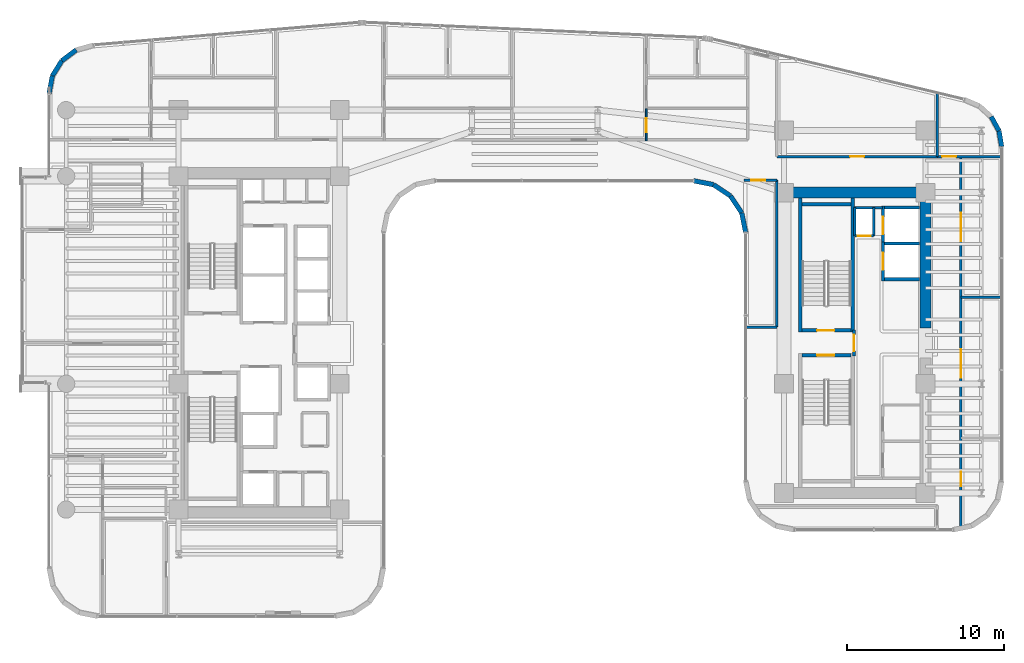
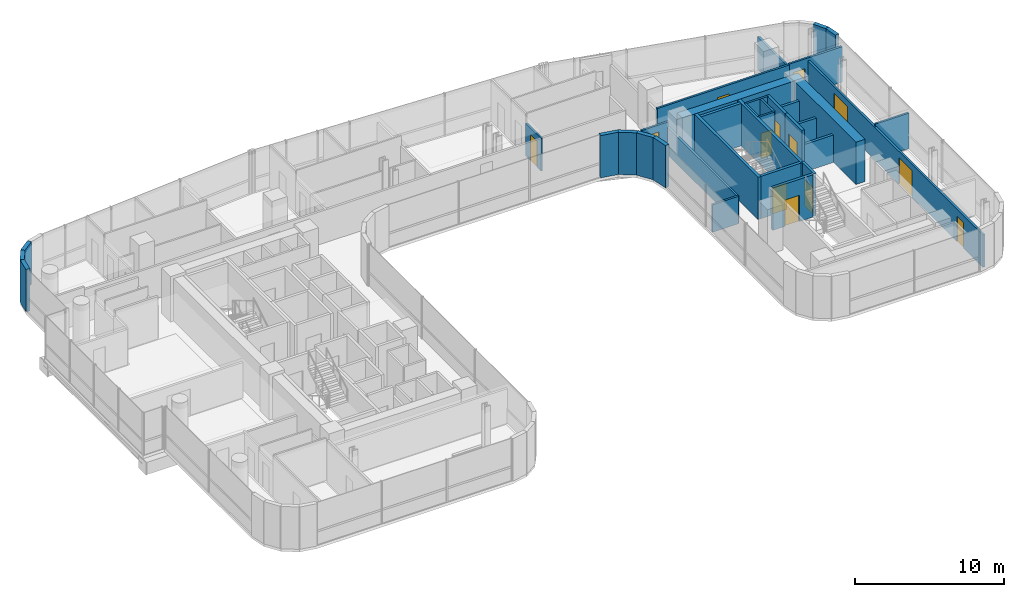
# One storey, part 29 of 36: 35 walls, 13 doors, 13 openings.
"""IFC4 building model written with IfcOpenShell, lengths in metres."""

from ifc_helpers import new_model, si_unit, direction, frame, frame_2d, origin, place, context, subcontext, project, spatial, rectangle, extrude, material, layer, layer_set, type_object, element, fill, save


model = new_model("IFC4")

# Units and contexts
model_context = context("Model", 3, precision=1e-05, world=origin(), true_north=direction((0.0, 1.0)))
body_context = subcontext(model_context, "Body", "Model", "MODEL_VIEW")
ifc_project = project(units=[si_unit("LENGTHUNIT", "METRE"), si_unit("AREAUNIT", "SQUARE_METRE"), si_unit("VOLUMEUNIT", "CUBIC_METRE"), si_unit("PLANEANGLEUNIT", "RADIAN"), si_unit("MASSUNIT", "GRAM", prefix="KILO")], contexts=[model_context])

# Site, building, storey
site_placement = place(None, origin())
site = spatial("IfcSite", under=ifc_project, at=site_placement, CompositionType="ELEMENT")
building_placement = place(site_placement, origin())
building = spatial("IfcBuilding", under=site, at=building_placement, Name="Valdorenza Pilgrim Sanctuary Tower", CompositionType="ELEMENT")
storey_placement = place(building_placement, frame((0.0, 0.0, 109.39990234375)))
storey = spatial("IfcBuildingStorey", under=building, at=storey_placement, Name="L27", CompositionType="ELEMENT", Elevation=109.39990234375)

# Wall, opening, door
ifc_material_1 = material(Name="Acoustic twin-stud gypsum partition", Category="gypsum")
ifc_layer_1 = layer(ifc_material_1, 0.159912109375, Name="Acoustic twin-stud gypsum partition")
ifc_layer_set_1 = layer_set([ifc_layer_1], Name="Acoustic twin-stud gypsum partition")
wall_type_1 = type_object("IfcWallType", Name="WAL-COR-160", PredefinedType="PARTITIONING", material=ifc_layer_set_1)
wall_1_placement = place(storey_placement, frame((20.35009765625, 6.800048828125, 0.0), z_axis=(0.0, 0.0, 1.0), x_axis=(1.0, 0.0, 0.0)))
wall_1 = element("IfcWall", 1, at=wall_1_placement, inside=storey, type_object=wall_type_1, Name="L27 Core B Riser South Wall", PredefinedType="PARTITIONING", context=body_context, shape_type="SweptSolid", body=[
    extrude(rectangle(XDim=1.199951171875, YDim=0.159912109375, at=frame_2d((0.60009765625, 0.0))), origin(), (0.0, 0.0, 1.0), 3.460205078125),
])
opening_1_placement = place(wall_1_placement, frame((0.175048828125, 0.0, 0.0)))
opening_1 = element("IfcOpeningElement", 2, at=opening_1_placement, cuts=wall_1, Name="Opening DR-RS1", PredefinedType="OPENING", context=body_context, shape_type="SweptSolid", body=[
    extrude(rectangle(XDim=0.85009765625, YDim=2.050048828125, at=frame_2d((0.425048828125, 1.02490234375))), frame((0.0, 0.0947265625, 0.0), z_axis=(0.0, -1.0, 0.0), x_axis=(1.0, 0.0, 0.0)), (0.0, 0.0, 1.0), 0.189697265625),
])
ifc_material_2 = material(Name="Painted galvanized steel", Category="steel")
door_type_1 = type_object("IfcDoorType", Name="DR-RSR-850", OperationType="NOTDEFINED", PredefinedType="DOOR", material=ifc_material_2)
door_1_placement = place(opening_1_placement, origin())
door_1 = element("IfcDoor", 3, at=door_1_placement, inside=storey, type_object=door_type_1, Name="L27 Core B Electrical Riser Door", OperationType="SINGLE_SWING_LEFT", OverallHeight=2.050048828125, OverallWidth=0.85009765625, PredefinedType="DOOR", context=body_context, shape_type="SweptSolid", body=[
    extrude(rectangle(XDim=0.85009765625, YDim=2.050048828125, at=frame_2d((0.425048828125, 1.02490234375))), frame((0.0, 0.02490234375, 0.0), z_axis=(0.0, -1.0, 0.0), x_axis=(1.0, 0.0, 0.0)), (0.0, 0.0, 1.0), 0.050048828125),
])
fill(opening_1, door_1)

# Walls
for number, where, z_axis, x_axis, name in (
    (4, (21.550048828125, 6.800048828125, 0.0), (0.0, 0.0, 1.0), (0.0, 1.0, 0.0), "L27 Core B Riser East Wall"),
    (5, (20.35009765625, 6.800048828125, 0.0), (0.0, 0.0, 1.0), (0.0, 1.0, 0.0), "L27 Core B Riser West Wall"),
):
    element("IfcWall", number, at=place(storey_placement, frame(where, z_axis=z_axis, x_axis=x_axis)), inside=storey, type_object=wall_type_1, Name=name, PredefinedType="PARTITIONING", context=body_context, shape_type="SweptSolid", body=[
        extrude(rectangle(XDim=1.800048828125, YDim=0.159912109375, at=frame_2d((0.89990234375, 0.0))), origin(), (0.0, 0.0, 1.0), 3.460205078125),
    ])
wall_2_placement = place(storey_placement, frame((20.300048828125, 8.60009765625, 0.0), z_axis=(0.0, 0.0, 1.0), x_axis=(1.0, 0.0, 0.0)))
element("IfcWall", 6, at=wall_2_placement, inside=storey, type_object=wall_type_1, Name="L27 Core B Lift Hall North End Wall", PredefinedType="PARTITIONING", context=body_context, shape_type="SweptSolid", body=[
    extrude(rectangle(XDim=1.820068359375, YDim=0.159912109375, at=frame_2d((0.91015625, 0.0))), origin(), (0.0, 0.0, 1.0), 3.460205078125),
])

# Wall, opening, door
wall_3_placement = place(storey_placement, frame((15.39990234375, 11.85009765625, 0.0), z_axis=(0.0, 0.0, 1.0), x_axis=(1.0, 0.0, 0.0)))
wall_3 = element("IfcWall", 7, at=wall_3_placement, inside=storey, type_object=wall_type_1, Name="L27 Wing B North Corridor Wall", PredefinedType="PARTITIONING", context=body_context, shape_type="SweptSolid", body=[
    extrude(rectangle(XDim=10.2001953125, YDim=0.159912109375, at=frame_2d((5.10009765625, 0.0))), origin(), (0.0, 0.0, 1.0), 2.833984375),
])
opening_2_placement = place(wall_3_placement, frame((4.64990234375, 0.0, 0.0)))
opening_2 = element("IfcOpeningElement", 8, at=opening_2_placement, cuts=wall_3, Name="Opening DR-RM1", PredefinedType="OPENING", context=body_context, shape_type="SweptSolid", body=[
    extrude(rectangle(XDim=0.89990234375, YDim=2.10009765625, at=frame_2d((0.449951171875, 1.050048828125))), frame((0.0, 0.0947265625, 0.0), z_axis=(0.0, -1.0, 0.0), x_axis=(1.0, 0.0, 0.0)), (0.0, 0.0, 1.0), 0.189697265625),
])
ifc_material_3 = material(Name="Solid-core European oak timber", Category="wood")
door_type_2 = type_object("IfcDoorType", Name="DR-ROOM-900", OperationType="NOTDEFINED", PredefinedType="DOOR", material=ifc_material_3)
door_2_placement = place(opening_2_placement, origin())
door_2 = element("IfcDoor", 9, at=door_2_placement, inside=storey, type_object=door_type_2, Name="L27 Curator Research Office L27-BN1 Door", OperationType="SINGLE_SWING_RIGHT", OverallHeight=2.10009765625, OverallWidth=0.89990234375, PredefinedType="DOOR", context=body_context, shape_type="SweptSolid", body=[
    extrude(rectangle(XDim=0.89990234375, YDim=2.10009765625, at=frame_2d((0.449951171875, 1.050048828125))), frame((0.0, 0.02490234375, 0.0), z_axis=(0.0, -1.0, 0.0), x_axis=(1.0, 0.0, 0.0)), (0.0, 0.0, 1.0), 0.050048828125),
])
fill(opening_2, door_2)

# Wall
wall_4_placement = place(storey_placement, frame((25.60009765625, 11.85009765625, 0.0), z_axis=(0.0, 0.0, 1.0), x_axis=(0.0, 1.0, 0.0)))
element("IfcWall", 10, at=wall_4_placement, inside=storey, type_object=wall_type_1, Name="L27 Wing B North East Wall", PredefinedType="PARTITIONING", context=body_context, shape_type="SweptSolid", body=[
    extrude(rectangle(XDim=4.042236328125, YDim=0.159912109375, at=frame_2d((2.02099609375, 0.0))), origin(), (0.0, 0.0, 1.0), 2.666015625),
])

# Wall, openings, doors
wall_5_placement = place(storey_placement, frame((27.10009765625, -11.660888671875, 0.0), z_axis=(0.0, 0.0, 1.0), x_axis=(0.0, 1.0, 0.0)))
wall_5 = element("IfcWall", 11, at=wall_5_placement, inside=storey, type_object=wall_type_1, Name="L27 Wing B East Corridor Wall", PredefinedType="PARTITIONING", context=body_context, shape_type="SweptSolid", body=[
    extrude(rectangle(XDim=23.510986328125, YDim=0.159912109375, at=frame_2d((11.75537109375, 0.0))), origin(), (0.0, 0.0, 1.0), 2.666015625),
])
opening_3_placement = place(wall_5_placement, frame((2.56005859375, 0.0, 0.0)))
opening_3 = element("IfcOpeningElement", 12, at=opening_3_placement, cuts=wall_5, Name="Opening DR-RM1", PredefinedType="OPENING", context=body_context, shape_type="SweptSolid", body=[
    extrude(rectangle(XDim=0.89990234375, YDim=2.10009765625, at=frame_2d((0.449951171875, 1.050048828125))), frame((0.0, 0.0947265625, 0.0), z_axis=(0.0, -1.0, 0.0), x_axis=(1.0, 0.0, 0.0)), (0.0, 0.0, 1.0), 0.189697265625),
])
opening_4_placement = place(wall_5_placement, frame((9.450927734375, 0.0, 0.0)))
opening_4 = element("IfcOpeningElement", 13, at=opening_4_placement, cuts=wall_5, Name="Opening DR-HL1", PredefinedType="OPENING", context=body_context, shape_type="SweptSolid", body=[
    extrude(rectangle(XDim=1.800048828125, YDim=2.14990234375, at=frame_2d((0.89990234375, 1.074951171875))), frame((0.0, 0.0947265625, 0.0), z_axis=(0.0, -1.0, 0.0), x_axis=(1.0, 0.0, 0.0)), (0.0, 0.0, 1.0), 0.189697265625),
])
opening_5_placement = place(wall_5_placement, frame((18.135986328125, 0.0, 0.0)))
opening_5 = element("IfcOpeningElement", 14, at=opening_5_placement, cuts=wall_5, Name="Opening DR-HL1", PredefinedType="OPENING", context=body_context, shape_type="SweptSolid", body=[
    extrude(rectangle(XDim=1.800048828125, YDim=2.14990234375, at=frame_2d((0.89990234375, 1.074951171875))), frame((0.0, 0.0947265625, 0.0), z_axis=(0.0, -1.0, 0.0), x_axis=(1.0, 0.0, 0.0)), (0.0, 0.0, 1.0), 0.189697265625),
])
ifc_material_4 = material(Name="Acoustic oak and vision-glass double door", Category="glass")
door_type_3 = type_object("IfcDoorType", Name="DR-HALL-1800", OperationType="NOTDEFINED", PredefinedType="DOOR", material=ifc_material_4)
door_3_placement = place(opening_4_placement, origin())
door_3 = element("IfcDoor", 15, at=door_3_placement, inside=storey, type_object=door_type_3, Name="L27 East Reading Lounge L27-EB2 Door", OperationType="DOUBLE_DOOR_SINGLE_SWING", OverallHeight=2.14990234375, OverallWidth=1.800048828125, PredefinedType="DOOR", context=body_context, shape_type="SweptSolid", body=[
    extrude(rectangle(XDim=1.800048828125, YDim=2.14990234375, at=frame_2d((0.89990234375, 1.074951171875))), frame((0.0, 0.02490234375, 0.0), z_axis=(0.0, -1.0, 0.0), x_axis=(1.0, 0.0, 0.0)), (0.0, 0.0, 1.0), 0.050048828125),
])
fill(opening_4, door_3)
door_4_placement = place(opening_5_placement, frame((1.800048828125, 0.0, 0.0), z_axis=(0.0, 0.0, 1.0), x_axis=(-1.0, 0.0, 0.0)))
door_4 = element("IfcDoor", 16, at=door_4_placement, inside=storey, type_object=door_type_3, Name="L27 East Reading Lounge L27-EB3 Door", OperationType="DOUBLE_DOOR_SINGLE_SWING", OverallHeight=2.14990234375, OverallWidth=1.800048828125, PredefinedType="DOOR", context=body_context, shape_type="SweptSolid", body=[
    extrude(rectangle(XDim=1.800048828125, YDim=2.14990234375, at=frame_2d((0.89990234375, 1.074951171875))), frame((0.0, 0.02490234375, 0.0), z_axis=(0.0, -1.0, 0.0), x_axis=(1.0, 0.0, 0.0)), (0.0, 0.0, 1.0), 0.050048828125),
])
fill(opening_5, door_4)
door_5_placement = place(opening_3_placement, frame((0.89990234375, 0.0, 0.0), z_axis=(0.0, 0.0, 1.0), x_axis=(-1.0, 0.0, 0.0)))
door_5 = element("IfcDoor", 17, at=door_5_placement, inside=storey, type_object=door_type_2, Name="L27 East Reading Lounge L27-EB1 Door", OperationType="SINGLE_SWING_LEFT", OverallHeight=2.10009765625, OverallWidth=0.89990234375, PredefinedType="DOOR", context=body_context, shape_type="SweptSolid", body=[
    extrude(rectangle(XDim=0.89990234375, YDim=2.10009765625, at=frame_2d((0.449951171875, 1.050048828125))), frame((0.0, 0.02490234375, 0.0), z_axis=(0.0, -1.0, 0.0), x_axis=(1.0, 0.0, 0.0)), (0.0, 0.0, 1.0), 0.050048828125),
])
fill(opening_3, door_5)

# Wall, opening, door
wall_6_placement = place(storey_placement, frame((25.60009765625, 11.85009765625, 0.0), z_axis=(0.0, 0.0, 1.0), x_axis=(1.0, 0.0, 0.0)))
wall_6 = element("IfcWall", 18, at=wall_6_placement, inside=storey, type_object=wall_type_1, Name="L27 East Wing NE Corner South Wall", PredefinedType="PARTITIONING", context=body_context, shape_type="SweptSolid", body=[
    extrude(rectangle(XDim=4.08984375, YDim=0.159912109375, at=frame_2d((2.044921875, 0.0))), origin(), (0.0, 0.0, 1.0), 2.89599609375),
])
opening_6_placement = place(wall_6_placement, frame((0.300048828125, 0.0, 0.0)))
opening_6 = element("IfcOpeningElement", 19, at=opening_6_placement, cuts=wall_6, Name="Opening DR-RM1", PredefinedType="OPENING", context=body_context, shape_type="SweptSolid", body=[
    extrude(rectangle(XDim=0.89990234375, YDim=2.10009765625, at=frame_2d((0.449951171875, 1.050048828125))), frame((0.0, 0.0947265625, 0.0), z_axis=(0.0, -1.0, 0.0), x_axis=(1.0, 0.0, 0.0)), (0.0, 0.0, 1.0), 0.189697265625),
])
door_6_placement = place(opening_6_placement, origin())
door_6 = element("IfcDoor", 20, at=door_6_placement, inside=storey, type_object=door_type_2, Name="L27 East North Alcove Office L27 Door", OperationType="SINGLE_SWING_RIGHT", OverallHeight=2.10009765625, OverallWidth=0.89990234375, PredefinedType="DOOR", context=body_context, shape_type="SweptSolid", body=[
    extrude(rectangle(XDim=0.89990234375, YDim=2.10009765625, at=frame_2d((0.449951171875, 1.050048828125))), frame((0.0, 0.02490234375, 0.0), z_axis=(0.0, -1.0, 0.0), x_axis=(1.0, 0.0, 0.0)), (0.0, 0.0, 1.0), 0.050048828125),
])
fill(opening_6, door_6)

wall_7_placement = place(storey_placement, frame((13.300048828125, 10.35009765625, 0.0), z_axis=(0.0, 0.0, 1.0), x_axis=(1.0, 0.0, 0.0)))
wall_7 = element("IfcWall", 21, at=wall_7_placement, inside=storey, type_object=wall_type_1, Name="L27 Courtyard Overlook North Wall", PredefinedType="PARTITIONING", context=body_context, shape_type="SweptSolid", body=[
    extrude(rectangle(XDim=2.099853515625, YDim=0.159912109375, at=frame_2d((1.0498046875, 0.0))), origin(), (0.0, 0.0, 1.0), 2.666015625),
])
opening_7_placement = place(wall_7_placement, frame((0.449951171875, 0.0, 0.0)))
opening_7 = element("IfcOpeningElement", 22, at=opening_7_placement, cuts=wall_7, Name="Opening DR-RM1", PredefinedType="OPENING", context=body_context, shape_type="SweptSolid", body=[
    extrude(rectangle(XDim=0.89990234375, YDim=2.10009765625, at=frame_2d((0.449951171875, 1.050048828125))), frame((0.0, 0.0947265625, 0.0), z_axis=(0.0, -1.0, 0.0), x_axis=(1.0, 0.0, 0.0)), (0.0, 0.0, 1.0), 0.189697265625),
])
door_7_placement = place(opening_7_placement, origin())
door_7 = element("IfcDoor", 23, at=door_7_placement, inside=storey, type_object=door_type_2, Name="L27 Courtyard Overlook Salon Door", OperationType="SINGLE_SWING_RIGHT", OverallHeight=2.10009765625, OverallWidth=0.89990234375, PredefinedType="DOOR", context=body_context, shape_type="SweptSolid", body=[
    extrude(rectangle(XDim=0.89990234375, YDim=2.10009765625, at=frame_2d((0.449951171875, 1.050048828125))), frame((0.0, 0.02490234375, 0.0), z_axis=(0.0, -1.0, 0.0), x_axis=(1.0, 0.0, 0.0)), (0.0, 0.0, 1.0), 0.050048828125),
])
fill(opening_7, door_7)

# Walls
wall_8_placement = place(storey_placement, frame((15.39990234375, 1.0, 0.0), z_axis=(0.0, 0.0, 1.0), x_axis=(0.0, 1.0, 0.0)))
element("IfcWall", 24, at=wall_8_placement, inside=storey, type_object=wall_type_1, Name="L27 Courtyard Overlook East Wall", PredefinedType="PARTITIONING", context=body_context, shape_type="SweptSolid", body=[
    extrude(rectangle(XDim=9.35009765625, YDim=0.159912109375, at=frame_2d((4.675048828125, 0.0))), origin(), (0.0, 0.0, 1.0), 2.2451171875),
])
wall_9_placement = place(storey_placement, frame((13.409912109375, 1.0, 0.0), z_axis=(0.0, 0.0, 1.0), x_axis=(1.0, 0.0, 0.0)))
element("IfcWall", 25, at=wall_9_placement, inside=storey, type_object=wall_type_1, Name="L27 Courtyard Overlook South Wall", PredefinedType="PARTITIONING", context=body_context, shape_type="SweptSolid", body=[
    extrude(rectangle(XDim=1.989990234375, YDim=0.159912109375, at=frame_2d((0.9951171875, 0.0))), origin(), (0.0, 0.0, 1.0), 2.2451171875),
])
ifc_material_5 = material(Name="Concrete C60/75", Category="concrete")
ifc_layer_2 = layer(ifc_material_5, 0.699951171875, Name="Concrete C60/75")
ifc_layer_set_2 = layer_set([ifc_layer_2], Name="Concrete C60/75")
wall_type_2 = type_object("IfcWallType", Name="WAL-COR-700", PredefinedType="SHEAR", material=ifc_layer_set_2)
wall_10_placement = place(storey_placement, frame((24.85009765625, 0.949951171875, 0.0), z_axis=(0.0, 0.0, 1.0), x_axis=(0.0, 1.0, 0.0)))
element("IfcWall", 26, at=wall_10_placement, inside=storey, type_object=wall_type_2, Name="L27 Split Core B Shear Wall EN", PredefinedType="SHEAR", context=body_context, shape_type="SweptSolid", body=[
    extrude(rectangle(XDim=8.949951171875, YDim=0.699951171875, at=frame_2d((4.47509765625, 0.0))), origin(), (0.0, 0.0, 1.0), 3.460205078125),
])
wall_11_placement = place(storey_placement, frame((15.85009765625, 9.550048828125, 0.0), z_axis=(0.0, 0.0, 1.0), x_axis=(1.0, 0.0, 0.0)))
element("IfcWall", 27, at=wall_11_placement, inside=storey, type_object=wall_type_2, Name="L27 Split Core B Shear Wall N", PredefinedType="SHEAR", context=body_context, shape_type="SweptSolid", body=[
    extrude(rectangle(XDim=9.0, YDim=0.699951171875, at=frame_2d((4.5, 0.0))), origin(), (0.0, 0.0, 1.0), 3.460205078125),
])
ifc_material_6 = material(Name="Honed travertine limestone", Category="masonry")
ifc_layer_3 = layer(ifc_material_6, 0.300048828125, Name="Honed travertine limestone")
ifc_layer_set_3 = layer_set([ifc_layer_3], Name="Honed travertine limestone")
wall_type_3 = type_object("IfcWallType", Name="WAL-EXT-300", PredefinedType="SOLIDWALL", material=ifc_layer_set_3)
wall_12_placement = place(storey_placement, frame((-30.889892578125, 15.850341796875, 0.0), z_axis=(0.0, 0.0, 1.0), x_axis=(0.184557499391, 0.982821718023, 0.0)))
element("IfcWall", 28, at=wall_12_placement, inside=storey, type_object=wall_type_3, Name="L27 Rounded Wind-Corner Stone Pier 2", PredefinedType="SOLIDWALL", context=body_context, shape_type="SweptSolid", body=[
    extrude(rectangle(XDim=1.15087890625, YDim=0.300048828125, at=frame_2d((0.575439453125, 0.0))), origin(), (0.0, 0.0, 1.0), 3.460205078125),
])
wall_13_placement = place(storey_placement, frame((-30.677490234375, 16.9814453125, 0.0), z_axis=(0.0, 0.0, 1.0), x_axis=(0.52880576008, 0.848742875143, 0.0)))
element("IfcWall", 29, at=wall_13_placement, inside=storey, type_object=wall_type_3, Name="L27 Rounded Wind-Corner Stone Pier 3", PredefinedType="SOLIDWALL", context=body_context, shape_type="SweptSolid", body=[
    extrude(rectangle(XDim=1.140869140625, YDim=0.300048828125, at=frame_2d((0.5703125, 0.0))), origin(), (0.0, 0.0, 1.0), 3.460205078125),
])
wall_14_placement = place(storey_placement, frame((-30.07421875, 17.94970703125, 0.0), z_axis=(0.0, 0.0, 1.0), x_axis=(0.800975009324, 0.598697782223, 0.0)))
element("IfcWall", 30, at=wall_14_placement, inside=storey, type_object=wall_type_3, Name="L27 Rounded Wind-Corner Stone Pier 4", PredefinedType="SOLIDWALL", context=body_context, shape_type="SweptSolid", body=[
    extrude(rectangle(XDim=1.140625, YDim=0.300048828125, at=frame_2d((0.5703125, 0.0))), origin(), (0.0, 0.0, 1.0), 3.460205078125),
])
wall_15_placement = place(storey_placement, frame((29.024658203125, 14.388427734375, 0.0), z_axis=(0.0, 0.0, 1.0), x_axis=(0.480284137298, -0.87711296163, 0.0)))
element("IfcWall", 31, at=wall_15_placement, inside=storey, type_object=wall_type_3, Name="L27 Rounded Wind-Corner Stone Pier 19", PredefinedType="SOLIDWALL", context=body_context, shape_type="SweptSolid", body=[
    extrude(rectangle(XDim=1.02685546875, YDim=0.300048828125, at=frame_2d((0.513427734375, 0.0))), origin(), (0.0, 0.0, 1.0), 3.460205078125),
])
wall_16_placement = place(storey_placement, frame((29.517822265625, 13.48779296875, 0.0), z_axis=(0.0, 0.0, 1.0), x_axis=(0.166156796952, -0.986099345313, 0.0)))
element("IfcWall", 32, at=wall_16_placement, inside=storey, type_object=wall_type_3, Name="L27 Rounded Wind-Corner Stone Pier 20", PredefinedType="SOLIDWALL", context=body_context, shape_type="SweptSolid", body=[
    extrude(rectangle(XDim=1.035888671875, YDim=0.300048828125, at=frame_2d((0.51806640625, 0.0))), origin(), (0.0, 0.0, 1.0), 3.460205078125),
])
wall_17_placement = place(storey_placement, frame((13.409912109375, 7.0107421875, 0.0), z_axis=(0.0, 0.0, 1.0), x_axis=(-0.195090163074, 0.980785312019, 0.0)))
element("IfcWall", 33, at=wall_17_placement, inside=storey, type_object=wall_type_3, Name="L27 Rounded Wind-Corner Stone Pier 32", PredefinedType="SOLIDWALL", context=body_context, shape_type="SweptSolid", body=[
    extrude(rectangle(XDim=1.281494140625, YDim=0.300048828125, at=frame_2d((0.640625, 0.0))), origin(), (0.0, 0.0, 1.0), 3.460205078125),
])
for number, where, z_axis, x_axis, name in (
    (34, (13.159912109375, 8.267578125, 0.0), (0.0, 0.0, 1.0), (-0.555615398575, 0.831439431869, 0.0), "L27 Rounded Wind-Corner Stone Pier 33"),
    (35, (12.44189453125, 9.342041015625, 0.0), (0.0, 0.0, 1.0), (-0.831439431869, 0.555615398575, 0.0), "L27 Rounded Wind-Corner Stone Pier 34"),
):
    element("IfcWall", number, at=place(storey_placement, frame(where, z_axis=z_axis, x_axis=x_axis)), inside=storey, type_object=wall_type_3, Name=name, PredefinedType="SOLIDWALL", context=body_context, shape_type="SweptSolid", body=[
        extrude(rectangle(XDim=1.292236328125, YDim=0.300048828125, at=frame_2d((0.64599609375, 0.0))), origin(), (0.0, 0.0, 1.0), 3.460205078125),
    ])
wall_18_placement = place(storey_placement, frame((11.367431640625, 10.06005859375, 0.0), z_axis=(0.0, 0.0, 1.0), x_axis=(-0.980778058848, 0.195126623715, 0.0)))
element("IfcWall", 36, at=wall_18_placement, inside=storey, type_object=wall_type_3, Name="L27 Rounded Wind-Corner Stone Pier 35", PredefinedType="SOLIDWALL", context=body_context, shape_type="SweptSolid", body=[
    extrude(rectangle(XDim=1.28125, YDim=0.300048828125, at=frame_2d((0.640625, 0.0))), origin(), (0.0, 0.0, 1.0), 3.460205078125),
])

# Wall, opening, door
ifc_material_7 = material(Name="Gypsum shaftwall partition", Category="gypsum")
ifc_layer_4 = layer(ifc_material_7, 0.199951171875, Name="Gypsum shaftwall partition")
ifc_layer_set_4 = layer_set([ifc_layer_4], Name="Gypsum shaftwall partition")
wall_type_4 = type_object("IfcWallType", Name="WAL-FFL-200", PredefinedType="PARTITIONING", material=ifc_layer_set_4)
wall_19_placement = place(storey_placement, frame((20.300048828125, -0.820068359375, 0.0), z_axis=(0.0, 0.0, 1.0), x_axis=(0.0, 1.0, 0.0)))
wall_19 = element("IfcWall", 37, at=wall_19_placement, inside=storey, type_object=wall_type_4, Name="L27 Core B Firefighting Lobby East Wall", PredefinedType="PARTITIONING", context=body_context, shape_type="SweptSolid", body=[
    extrude(rectangle(XDim=1.64013671875, YDim=0.199951171875, at=frame_2d((0.820068359375, 0.0))), origin(), (0.0, 0.0, 1.0), 3.460205078125),
])
opening_8_placement = place(wall_19_placement, frame((0.294921875, 0.0, 0.0)))
opening_8 = element("IfcOpeningElement", 38, at=opening_8_placement, cuts=wall_19, Name="Opening DR-FL1", PredefinedType="OPENING", context=body_context, shape_type="SweptSolid", body=[
    extrude(rectangle(XDim=1.050048828125, YDim=2.14990234375, at=frame_2d((0.52490234375, 1.074951171875))), frame((0.0, 0.11474609375, 0.0), z_axis=(0.0, -1.0, 0.0), x_axis=(1.0, 0.0, 0.0)), (0.0, 0.0, 1.0), 0.229736328125),
])
door_type_4 = type_object("IfcDoorType", Name="DR-FFL-1050", OperationType="NOTDEFINED", PredefinedType="DOOR", material=ifc_material_2)
door_8_placement = place(opening_8_placement, origin())
door_8 = element("IfcDoor", 39, at=door_8_placement, inside=storey, type_object=door_type_4, Name="L27 Core B Firefighting Lobby Door", OperationType="SINGLE_SWING_RIGHT", OverallHeight=2.14990234375, OverallWidth=1.050048828125, PredefinedType="DOOR", context=body_context, shape_type="SweptSolid", body=[
    extrude(rectangle(XDim=1.050048828125, YDim=2.14990234375, at=frame_2d((0.52490234375, 1.074951171875))), frame((0.0, 0.02490234375, 0.0), z_axis=(0.0, -1.0, 0.0), x_axis=(1.0, 0.0, 0.0)), (0.0, 0.0, 1.0), 0.050048828125),
])
fill(opening_8, door_8)

ifc_material_8 = material(Name="Moisture-resistant gypsum partition", Category="gypsum")
ifc_layer_5 = layer(ifc_material_8, 0.1201171875, Name="Moisture-resistant gypsum partition")
ifc_layer_set_5 = layer_set([ifc_layer_5], Name="Moisture-resistant gypsum partition")
wall_type_5 = type_object("IfcWallType", Name="WAL-INT-120", PredefinedType="PARTITIONING", material=ifc_layer_set_5)
wall_20_placement = place(storey_placement, frame((7.0908203125, 12.840087890625, 0.0), z_axis=(0.0, 0.0, 1.0), x_axis=(0.0, 1.0, 0.0)))
wall_20 = element("IfcWall", 40, at=wall_20_placement, inside=storey, type_object=wall_type_5, Name="L27 North Family Flat L27-N3 Kitchen Door Wall", PredefinedType="PARTITIONING", context=body_context, shape_type="SweptSolid", body=[
    extrude(rectangle(XDim=2.079833984375, YDim=0.1201171875, at=frame_2d((1.0400390625, 0.0))), origin(), (0.0, 0.0, 1.0), 2.666015625),
])
opening_9_placement = place(wall_20_placement, frame((0.550048828125, 0.0, 0.0)))
opening_9 = element("IfcOpeningElement", 41, at=opening_9_placement, cuts=wall_20, Name="Opening DR-RM1", PredefinedType="OPENING", context=body_context, shape_type="SweptSolid", body=[
    extrude(rectangle(XDim=0.89990234375, YDim=2.10009765625, at=frame_2d((0.449951171875, 1.050048828125))), frame((0.0, 0.074951171875, 0.0), z_axis=(0.0, -1.0, 0.0), x_axis=(1.0, 0.0, 0.0)), (0.0, 0.0, 1.0), 0.14990234375),
])
door_9_placement = place(opening_9_placement, origin())
door_9 = element("IfcDoor", 42, at=door_9_placement, inside=storey, type_object=door_type_2, Name="L27 North Family Flat L27-N3 Kitchen Door", OperationType="SINGLE_SWING_LEFT", OverallHeight=2.10009765625, OverallWidth=0.89990234375, PredefinedType="DOOR", context=body_context, shape_type="SweptSolid", body=[
    extrude(rectangle(XDim=0.89990234375, YDim=2.10009765625, at=frame_2d((0.449951171875, 1.050048828125))), frame((0.0, 0.02490234375, 0.0), z_axis=(0.0, -1.0, 0.0), x_axis=(1.0, 0.0, 0.0)), (0.0, 0.0, 1.0), 0.050048828125),
])
fill(opening_9, door_9)

ifc_material_9 = material(Name="Autoclaved aerated concrete blockwork", Category="masonry")
ifc_layer_6 = layer(ifc_material_9, 0.199951171875, Name="Autoclaved aerated concrete blockwork")
ifc_layer_set_6 = layer_set([ifc_layer_6], Name="Autoclaved aerated concrete blockwork")
wall_type_6 = type_object("IfcWallType", Name="WAL-SHF-200", PredefinedType="MOVABLE", material=ifc_layer_set_6)
wall_21_placement = place(storey_placement, frame((22.14990234375, 3.949951171875, 0.0), z_axis=(0.0, 0.0, 1.0), x_axis=(0.0, 1.0, 0.0)))
wall_21 = element("IfcWall", 43, at=wall_21_placement, inside=storey, type_object=wall_type_6, Name="L27 Lift PL-07 Hoistway Wall West", PredefinedType="MOVABLE", context=body_context, shape_type="SweptSolid", body=[
    extrude(rectangle(XDim=2.47509765625, YDim=0.199951171875, at=frame_2d((1.237548828125, 0.0))), origin(), (0.0, 0.0, 1.0), 3.460205078125),
])
opening_10_placement = place(wall_21_placement, frame((0.6875, 0.0, 0.0)))
opening_10 = element("IfcOpeningElement", 44, at=opening_10_placement, cuts=wall_21, Name="Opening LD-01", PredefinedType="OPENING", context=body_context, shape_type="SweptSolid", body=[
    extrude(rectangle(XDim=1.10009765625, YDim=2.10009765625, at=frame_2d((0.550048828125, 1.050048828125))), frame((0.0, 0.11474609375, 0.0), z_axis=(0.0, -1.0, 0.0), x_axis=(1.0, 0.0, 0.0)), (0.0, 0.0, 1.0), 0.229736328125),
])
ifc_material_10 = material(Name="Brushed stainless steel Grade 316", Category="steel")
door_type_5 = type_object("IfcDoorType", Name="DR-LFT-1100", OperationType="DOUBLE_DOOR_SLIDING", PredefinedType="DOOR", material=ifc_material_10)
door_10_placement = place(opening_10_placement, origin())
door_10 = element("IfcDoor", 45, at=door_10_placement, inside=storey, type_object=door_type_5, Name="L27 Lift PL-07 Sliding Landing Door", OperationType="DOUBLE_DOOR_SLIDING", OverallHeight=2.10009765625, OverallWidth=1.10009765625, PredefinedType="DOOR", context=body_context, shape_type="SweptSolid", body=[
    extrude(rectangle(XDim=1.10009765625, YDim=2.10009765625, at=frame_2d((0.550048828125, 1.050048828125))), frame((0.0, 0.02490234375, 0.0), z_axis=(0.0, -1.0, 0.0), x_axis=(1.0, 0.0, 0.0)), (0.0, 0.0, 1.0), 0.050048828125),
])
fill(opening_10, door_10)

# Walls
for number, where, z_axis, x_axis, name in (
    (46, (22.25, 4.050048828125, 0.0), (0.0, 0.0, 1.0), (1.0, 0.0, 0.0), "L27 Lift PL-07 Hoistway Wall South"),
    (47, (22.25, 6.324951171875, 0.0), (0.0, 0.0, 1.0), (1.0, 0.0, 0.0), "L27 Lift PL-07 Hoistway Wall North"),
):
    element("IfcWall", number, at=place(storey_placement, frame(where, z_axis=z_axis, x_axis=x_axis)), inside=storey, type_object=wall_type_6, Name=name, PredefinedType="MOVABLE", context=body_context, shape_type="SweptSolid", body=[
        extrude(rectangle(XDim=2.22998046875, YDim=0.199951171875, at=frame_2d((1.114990234375, 0.0))), origin(), (0.0, 0.0, 1.0), 2.2451171875),
    ])

# Wall, opening, door
wall_22_placement = place(storey_placement, frame((22.14990234375, 6.22509765625, 0.0), z_axis=(0.0, 0.0, 1.0), x_axis=(0.0, 1.0, 0.0)))
wall_22 = element("IfcWall", 48, at=wall_22_placement, inside=storey, type_object=wall_type_6, Name="L27 Lift PL-08 Hoistway Wall West", PredefinedType="MOVABLE", context=body_context, shape_type="SweptSolid", body=[
    extrude(rectangle(XDim=2.474853515625, YDim=0.199951171875, at=frame_2d((1.2373046875, 0.0))), origin(), (0.0, 0.0, 1.0), 3.460205078125),
])
opening_11_placement = place(wall_22_placement, frame((0.6875, 0.0, 0.0)))
opening_11 = element("IfcOpeningElement", 49, at=opening_11_placement, cuts=wall_22, Name="Opening LD-01", PredefinedType="OPENING", context=body_context, shape_type="SweptSolid", body=[
    extrude(rectangle(XDim=1.10009765625, YDim=2.10009765625, at=frame_2d((0.550048828125, 1.050048828125))), frame((0.0, 0.11474609375, 0.0), z_axis=(0.0, -1.0, 0.0), x_axis=(1.0, 0.0, 0.0)), (0.0, 0.0, 1.0), 0.229736328125),
])
door_11_placement = place(opening_11_placement, origin())
door_11 = element("IfcDoor", 50, at=door_11_placement, inside=storey, type_object=door_type_5, Name="L27 Lift PL-08 Sliding Landing Door", OperationType="DOUBLE_DOOR_SLIDING", OverallHeight=2.10009765625, OverallWidth=1.10009765625, PredefinedType="DOOR", context=body_context, shape_type="SweptSolid", body=[
    extrude(rectangle(XDim=1.10009765625, YDim=2.10009765625, at=frame_2d((0.550048828125, 1.050048828125))), frame((0.0, 0.02490234375, 0.0), z_axis=(0.0, -1.0, 0.0), x_axis=(1.0, 0.0, 0.0)), (0.0, 0.0, 1.0), 0.050048828125),
])
fill(opening_11, door_11)

# Walls
wall_23_placement = place(storey_placement, frame((22.25, 8.60009765625, 0.0), z_axis=(0.0, 0.0, 1.0), x_axis=(1.0, 0.0, 0.0)))
element("IfcWall", 51, at=wall_23_placement, inside=storey, type_object=wall_type_6, Name="L27 Lift PL-08 Hoistway Wall North", PredefinedType="MOVABLE", context=body_context, shape_type="SweptSolid", body=[
    extrude(rectangle(XDim=2.22998046875, YDim=0.199951171875, at=frame_2d((1.114990234375, 0.0))), origin(), (0.0, 0.0, 1.0), 2.2451171875),
])
ifc_material_11 = material(Name="Concrete C40/50", Category="concrete")
ifc_layer_7 = layer(ifc_material_11, 0.219970703125, Name="Concrete C40/50")
ifc_layer_set_7 = layer_set([ifc_layer_7], Name="Concrete C40/50")
wall_type_7 = type_object("IfcWallType", Name="WAL-STR-SHF-220", PredefinedType="SHEAR", material=ifc_layer_set_7)
for number, where, z_axis, x_axis, name in (
    (52, (16.889892578125, 0.679931640625, 0.0), (0.0, 0.0, 1.0), (0.0, 1.0, 0.0), "L27 ST-B1 Structural Stairwell Wall W"),
    (53, (20.219970703125, 0.679931640625, 0.0), (0.0, 0.0, 1.0), (0.0, 1.0, 0.0), "L27 ST-B1 Structural Stairwell Wall E"),
):
    element("IfcWall", number, at=place(storey_placement, frame(where, z_axis=z_axis, x_axis=x_axis)), inside=storey, type_object=wall_type_7, Name=name, PredefinedType="SHEAR", context=body_context, shape_type="SweptSolid", body=[
        extrude(rectangle(XDim=8.52001953125, YDim=0.219970703125, at=frame_2d((4.260009765625, 0.0))), origin(), (0.0, 0.0, 1.0), 3.460205078125),
    ])

# Wall, opening, door
wall_24_placement = place(storey_placement, frame((17.0, 0.7900390625, 0.0), z_axis=(0.0, 0.0, 1.0), x_axis=(1.0, 0.0, 0.0)))
wall_24 = element("IfcWall", 54, at=wall_24_placement, inside=storey, type_object=wall_type_7, Name="L27 ST-B1 Structural Stairwell Wall S", PredefinedType="SHEAR", context=body_context, shape_type="SweptSolid", body=[
    extrude(rectangle(XDim=3.110107421875, YDim=0.219970703125, at=frame_2d((1.55517578125, 0.0))), origin(), (0.0, 0.0, 1.0), 3.460205078125),
])
opening_12_placement = place(wall_24_placement, frame((0.949951171875, 0.0, 0.0)))
opening_12 = element("IfcOpeningElement", 55, at=opening_12_placement, cuts=wall_24, Name="Opening DR-ST1", PredefinedType="OPENING", context=body_context, shape_type="SweptSolid", body=[
    extrude(rectangle(XDim=1.10009765625, YDim=2.14990234375, at=frame_2d((0.550048828125, 1.074951171875))), frame((0.0, 0.125, 0.0), z_axis=(0.0, -1.0, 0.0), x_axis=(1.0, 0.0, 0.0)), (0.0, 0.0, 1.0), 0.249755859375),
])
door_type_6 = type_object("IfcDoorType", Name="DR-STAIR-1100", OperationType="NOTDEFINED", PredefinedType="DOOR", material=ifc_material_2)
door_12_placement = place(opening_12_placement, frame((1.10009765625, 0.0, 0.0), z_axis=(0.0, 0.0, 1.0), x_axis=(-1.0, 0.0, 0.0)))
door_12 = element("IfcDoor", 56, at=door_12_placement, inside=storey, type_object=door_type_6, Name="L27 Exit Stair ST-B1 Door", OperationType="SINGLE_SWING_LEFT", OverallHeight=2.14990234375, OverallWidth=1.10009765625, PredefinedType="DOOR", context=body_context, shape_type="SweptSolid", body=[
    extrude(rectangle(XDim=1.10009765625, YDim=2.14990234375, at=frame_2d((0.550048828125, 1.074951171875))), frame((0.0, 0.02490234375, 0.0), z_axis=(0.0, -1.0, 0.0), x_axis=(1.0, 0.0, 0.0)), (0.0, 0.0, 1.0), 0.050048828125),
])
fill(opening_12, door_12)

# Wall
wall_25_placement = place(storey_placement, frame((17.0, 8.81005859375, 0.0), z_axis=(0.0, 0.0, 1.0), x_axis=(1.0, 0.0, 0.0)))
element("IfcWall", 57, at=wall_25_placement, inside=storey, type_object=wall_type_7, Name="L27 ST-B1 Structural Stairwell Wall N", PredefinedType="SHEAR", context=body_context, shape_type="SweptSolid", body=[
    extrude(rectangle(XDim=3.110107421875, YDim=0.219970703125, at=frame_2d((1.55517578125, 0.0))), origin(), (0.0, 0.0, 1.0), 3.460205078125),
])

# Wall, opening, door
wall_26_placement = place(storey_placement, frame((17.0, -0.7900390625, 0.0), z_axis=(0.0, 0.0, 1.0), x_axis=(1.0, 0.0, 0.0)))
wall_26 = element("IfcWall", 58, at=wall_26_placement, inside=storey, type_object=wall_type_7, Name="L27 ST-B2 Structural Stairwell Wall N", PredefinedType="SHEAR", context=body_context, shape_type="SweptSolid", body=[
    extrude(rectangle(XDim=3.110107421875, YDim=0.219970703125, at=frame_2d((1.55517578125, 0.0))), origin(), (0.0, 0.0, 1.0), 3.460205078125),
])
opening_13_placement = place(wall_26_placement, frame((0.949951171875, 0.0, 0.0)))
opening_13 = element("IfcOpeningElement", 59, at=opening_13_placement, cuts=wall_26, Name="Opening DR-ST1", PredefinedType="OPENING", context=body_context, shape_type="SweptSolid", body=[
    extrude(rectangle(XDim=1.10009765625, YDim=2.14990234375, at=frame_2d((0.550048828125, 1.074951171875))), frame((0.0, 0.125, 0.0), z_axis=(0.0, -1.0, 0.0), x_axis=(1.0, 0.0, 0.0)), (0.0, 0.0, 1.0), 0.249755859375),
])
door_13_placement = place(opening_13_placement, origin())
door_13 = element("IfcDoor", 60, at=door_13_placement, inside=storey, type_object=door_type_6, Name="L27 Exit Stair ST-B2 Door", OperationType="SINGLE_SWING_RIGHT", OverallHeight=2.14990234375, OverallWidth=1.10009765625, PredefinedType="DOOR", context=body_context, shape_type="SweptSolid", body=[
    extrude(rectangle(XDim=1.10009765625, YDim=2.14990234375, at=frame_2d((0.550048828125, 1.074951171875))), frame((0.0, 0.02490234375, 0.0), z_axis=(0.0, -1.0, 0.0), x_axis=(1.0, 0.0, 0.0)), (0.0, 0.0, 1.0), 0.050048828125),
])
fill(opening_13, door_13)

# Wall
ifc_layer_8 = layer(ifc_material_1, 0.14990234375, Name="Acoustic twin-stud gypsum partition")
ifc_layer_set_8 = layer_set([ifc_layer_8], Name="Acoustic twin-stud gypsum partition")
wall_type_8 = type_object("IfcWallType", Name="WAL-UNT-150", PredefinedType="PARTITIONING", material=ifc_layer_set_8)
wall_27_placement = place(storey_placement, frame((27.10009765625, 2.89990234375, 0.0), z_axis=(0.0, 0.0, 1.0), x_axis=(1.0, 0.0, 0.0)))
element("IfcWall", 61, at=wall_27_placement, inside=storey, type_object=wall_type_8, Name="L27 East Reading Lounge L27-EB3 Demising Wall", PredefinedType="PARTITIONING", context=body_context, shape_type="SweptSolid", body=[
    extrude(rectangle(XDim=2.58984375, YDim=0.14990234375, at=frame_2d((1.294921875, 0.0))), origin(), (0.0, 0.0, 1.0), 2.89599609375),
])

save(model, "model.ifc")
